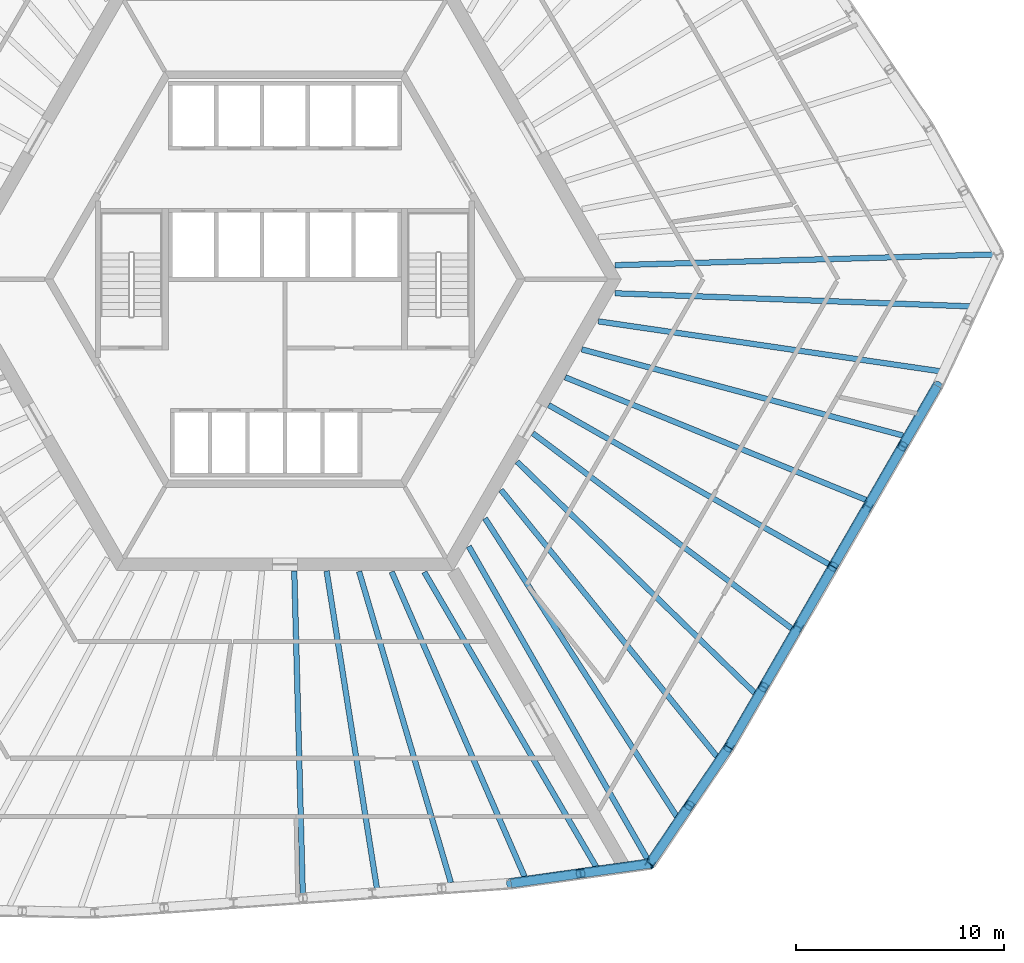
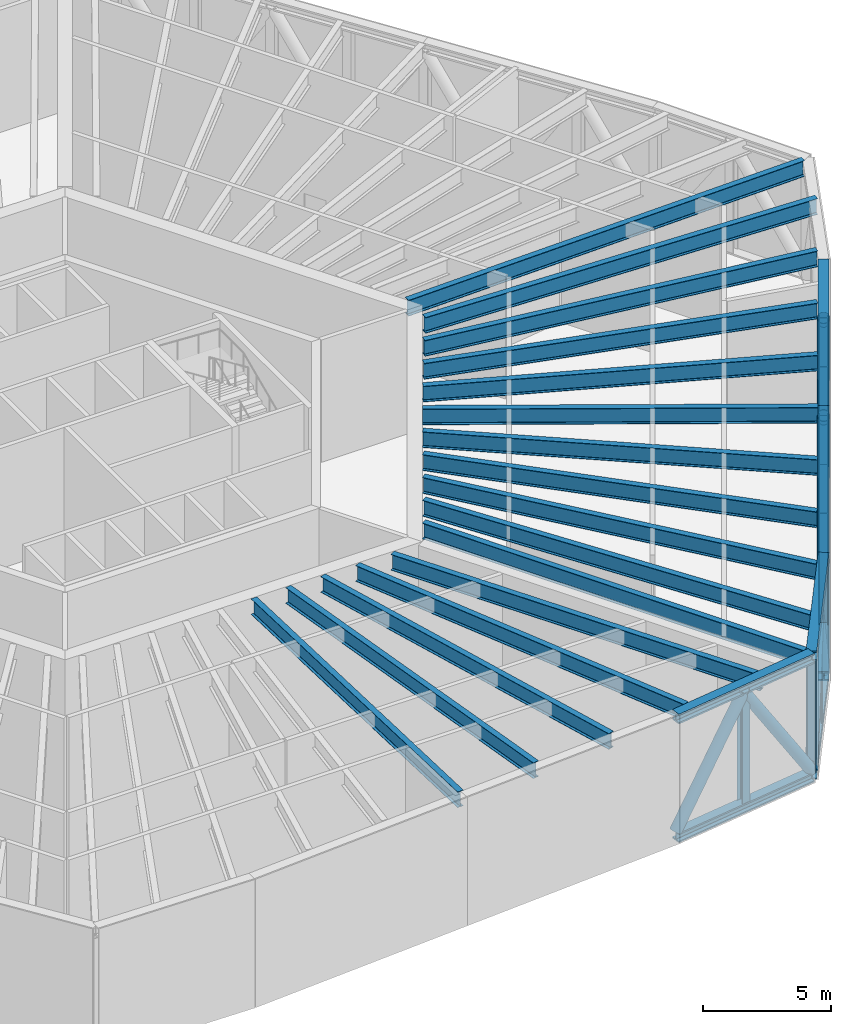
# One storey, part 2 of 11: 27 members, 16 beams.
"""IFC4 building model written with IfcOpenShell, lengths in metres."""

from ifc_helpers import new_model, si_unit, direction, frame, origin, origin_2d, place, context, subcontext, project, spatial, hollow_circle, i_section, extrude, material, material_profile, profile_set, type_object, element, save


model = new_model("IFC4")

# Units and contexts
model_context = context("Model", 3, precision=1e-05, world=origin(), true_north=direction((0.0, 1.0)))
body_context = subcontext(model_context, "Body", "Model", "MODEL_VIEW")
ifc_project = project(units=[si_unit("LENGTHUNIT", "METRE"), si_unit("AREAUNIT", "SQUARE_METRE"), si_unit("VOLUMEUNIT", "CUBIC_METRE"), si_unit("PLANEANGLEUNIT", "RADIAN"), si_unit("MASSUNIT", "GRAM", prefix="KILO")], contexts=[model_context])

# Site, building, storey
site_placement = place(None, origin())
site = spatial("IfcSite", under=ifc_project, at=site_placement, CompositionType="ELEMENT")
building_placement = place(site_placement, origin())
building = spatial("IfcBuilding", under=site, at=building_placement, Name="Tarnside Tower", CompositionType="ELEMENT")
storey_placement = place(building_placement, frame((0.0, 0.0, 31.5)))
storey = spatial("IfcBuildingStorey", under=building, at=storey_placement, Name="L05", CompositionType="ELEMENT", Elevation=31.5)

# Beams
ifc_material_1 = material(Name="Steel S355", Category="steel")
ifc_material_profile_1 = material_profile(ifc_material_1, i_section(OverallWidth=0.26513671875, OverallDepth=0.75390625, WebThickness=0.0126953125, FlangeThickness=0.017578125, FilletRadius=0.0166015625, at=origin_2d()), Name="UB 762x267x147")
ifc_profile_set_1 = profile_set([ifc_material_profile_1], Name="Steel S355")
beam_type_1 = type_object("IfcBeamType", Name="Floor beam UB 762x267x147", PredefinedType="BEAM", material=ifc_profile_set_1)
beam_1_placement = place(storey_placement, frame((0.859130859375, -29.5048828125, 5.472900390625), z_axis=(-0.026320774223, 0.999653548408, 0.0), x_axis=(-0.999653548408, -0.026320774223, 0.0)))
element("IfcBeam", 1, at=beam_1_placement, inside=storey, type_object=beam_type_1, Name="Floor beam F4.05", PredefinedType="BEAM", context=body_context, shape_type="SweptSolid", body=[
    extrude(i_section(OverallWidth=0.26513671875, OverallDepth=0.75390625, WebThickness=0.0126953125, FlangeThickness=0.017578125, FilletRadius=0.0166015625, at=origin_2d()), origin(), (0.0, 0.0, 1.0), 15.490234375),
])
beam_2_placement = place(storey_placement, frame((4.420166015625, -29.256103515625, 5.472900390625), z_axis=(-0.156520054819, 0.987674780704, 0.0), x_axis=(-0.987674780704, -0.156520054819, 0.0)))
element("IfcBeam", 2, at=beam_2_placement, inside=storey, type_object=beam_type_1, Name="Floor beam F4.06", PredefinedType="BEAM", context=body_context, shape_type="SweptSolid", body=[
    extrude(i_section(OverallWidth=0.26513671875, OverallDepth=0.75390625, WebThickness=0.0126953125, FlangeThickness=0.017578125, FilletRadius=0.0166015625, at=origin_2d()), origin(), (0.0, 0.0, 1.0), 15.426513671875),
])
beam_3_placement = place(storey_placement, frame((7.97509765625, -28.98828125, 5.472900390625), z_axis=(-0.282926054837, 0.959141724405, 0.0), x_axis=(-0.959141724405, -0.282926054837, 0.0)))
element("IfcBeam", 3, at=beam_3_placement, inside=storey, type_object=beam_type_1, Name="Floor beam F4.07", PredefinedType="BEAM", context=body_context, shape_type="SweptSolid", body=[
    extrude(i_section(OverallWidth=0.26513671875, OverallDepth=0.75390625, WebThickness=0.0126953125, FlangeThickness=0.017578125, FilletRadius=0.0166015625, at=origin_2d()), origin(), (0.0, 0.0, 1.0), 15.5869140625),
])
beam_4_placement = place(storey_placement, frame((24.361572265625, -16.790771484375, 5.472900390625), z_axis=(-0.79835463042, 0.602187582143, 0.0), x_axis=(-0.602187582143, -0.79835463042, 0.0)))
element("IfcBeam", 4, at=beam_4_placement, inside=storey, type_object=beam_type_1, Name="Floor beam F5.04", PredefinedType="BEAM", context=body_context, shape_type="SweptSolid", body=[
    extrude(i_section(OverallWidth=0.26513671875, OverallDepth=0.75390625, WebThickness=0.0126953125, FlangeThickness=0.017578125, FilletRadius=0.0166015625, at=origin_2d()), origin(), (0.0, 0.0, 1.0), 15.590576171875),
])
beam_5_placement = place(storey_placement, frame((26.163818359375, -13.708984375, 5.472900390625), z_axis=(-0.869508017285, 0.493918827215, 0.0), x_axis=(-0.493918827215, -0.869508017285, 0.0)))
element("IfcBeam", 5, at=beam_5_placement, inside=storey, type_object=beam_type_1, Name="Floor beam F5.05", PredefinedType="BEAM", context=body_context, shape_type="SweptSolid", body=[
    extrude(i_section(OverallWidth=0.26513671875, OverallDepth=0.75390625, WebThickness=0.0126953125, FlangeThickness=0.017578125, FilletRadius=0.0166015625, at=origin_2d()), origin(), (0.0, 0.0, 1.0), 15.513427734375),
])
beam_6_placement = place(storey_placement, frame((27.931396484375, -10.607666015625, 5.472900390625), z_axis=(-0.925977618693, 0.377578402031, 0.0), x_axis=(-0.377578402031, -0.925977618693, 0.0)))
element("IfcBeam", 6, at=beam_6_placement, inside=storey, type_object=beam_type_1, Name="Floor beam F5.06", PredefinedType="BEAM", context=body_context, shape_type="SweptSolid", body=[
    extrude(i_section(OverallWidth=0.26513671875, OverallDepth=0.75390625, WebThickness=0.0126953125, FlangeThickness=0.017578125, FilletRadius=0.0166015625, at=origin_2d()), origin(), (0.0, 0.0, 1.0), 15.618408203125),
])
ifc_material_profile_2 = material_profile(ifc_material_1, i_section(OverallWidth=0.2666015625, OverallDepth=0.76220703125, WebThickness=0.014404296875, FlangeThickness=0.021484375, FilletRadius=0.0166015625, at=origin_2d()), Name="UB 762x267x173")
ifc_profile_set_2 = profile_set([ifc_material_profile_2], Name="Steel S355")
beam_type_2 = type_object("IfcBeamType", Name="Floor beam UB 762x267x173", PredefinedType="BEAM", material=ifc_profile_set_2)
beam_7_placement = place(storey_placement, frame((11.525146484375, -28.722412109375, 5.468994140625), z_axis=(-0.399702782579, 0.916644797945, 0.0), x_axis=(-0.916644797945, -0.399702782579, 0.0)))
element("IfcBeam", 7, at=beam_7_placement, inside=storey, type_object=beam_type_2, Name="Floor beam F4.08", PredefinedType="BEAM", context=body_context, shape_type="SweptSolid", body=[
    extrude(i_section(OverallWidth=0.2666015625, OverallDepth=0.76220703125, WebThickness=0.014404296875, FlangeThickness=0.021484375, FilletRadius=0.0166015625, at=origin_2d()), origin(), (0.0, 0.0, 1.0), 16.001220703125),
])
beam_8_placement = place(storey_placement, frame((15.088623046875, -28.4580078125, 5.468994140625), z_axis=(-0.503762574622, 0.8638421548, 0.0), x_axis=(-0.8638421548, -0.503762574622, 0.0)))
element("IfcBeam", 8, at=beam_8_placement, inside=storey, type_object=beam_type_2, Name="Floor beam F4.09", PredefinedType="BEAM", context=body_context, shape_type="SweptSolid", body=[
    extrude(i_section(OverallWidth=0.2666015625, OverallDepth=0.76220703125, WebThickness=0.014404296875, FlangeThickness=0.021484375, FilletRadius=0.0166015625, at=origin_2d()), origin(), (0.0, 0.0, 1.0), 16.656982421875),
])
beam_9_placement = place(storey_placement, frame((17.43701171875, -27.887939453125, 5.468994140625), z_axis=(-0.496126806374, 0.868250074574, 0.0), x_axis=(-0.868250074574, -0.496126806374, 0.0)))
element("IfcBeam", 9, at=beam_9_placement, inside=storey, type_object=beam_type_2, Name="Floor beam C4", PredefinedType="BEAM", context=body_context, shape_type="SweptSolid", body=[
    extrude(i_section(OverallWidth=0.2666015625, OverallDepth=0.76220703125, WebThickness=0.014404296875, FlangeThickness=0.021484375, FilletRadius=0.0166015625, at=origin_2d()), origin(), (0.0, 0.0, 1.0), 17.33740234375),
])
beam_10_placement = place(storey_placement, frame((18.967041015625, -26.031982421875, 5.468994140625), z_axis=(-0.54087390901, 0.841103688348, 0.0), x_axis=(-0.841103688348, -0.54087390901, 0.0)))
element("IfcBeam", 10, at=beam_10_placement, inside=storey, type_object=beam_type_2, Name="Floor beam F5.01", PredefinedType="BEAM", context=body_context, shape_type="SweptSolid", body=[
    extrude(i_section(OverallWidth=0.2666015625, OverallDepth=0.76220703125, WebThickness=0.014404296875, FlangeThickness=0.021484375, FilletRadius=0.0166015625, at=origin_2d()), origin(), (0.0, 0.0, 1.0), 17.29052734375),
])
beam_11_placement = place(storey_placement, frame((20.767578125, -22.943603515625, 5.468994140625), z_axis=(-0.629388944028, 0.777090443343, 0.0), x_axis=(-0.777090443343, -0.629388944028, 0.0)))
element("IfcBeam", 11, at=beam_11_placement, inside=storey, type_object=beam_type_2, Name="Floor beam F5.02", PredefinedType="BEAM", context=body_context, shape_type="SweptSolid", body=[
    extrude(i_section(OverallWidth=0.2666015625, OverallDepth=0.76220703125, WebThickness=0.014404296875, FlangeThickness=0.021484375, FilletRadius=0.0166015625, at=origin_2d()), origin(), (0.0, 0.0, 1.0), 16.496337890625),
])
beam_12_placement = place(storey_placement, frame((22.562744140625, -19.86865234375, 5.468994140625), z_axis=(-0.716593989632, 0.697490540455, 0.0), x_axis=(-0.697490540455, -0.716593989632, 0.0)))
element("IfcBeam", 12, at=beam_12_placement, inside=storey, type_object=beam_type_2, Name="Floor beam F5.03", PredefinedType="BEAM", context=body_context, shape_type="SweptSolid", body=[
    extrude(i_section(OverallWidth=0.2666015625, OverallDepth=0.76220703125, WebThickness=0.014404296875, FlangeThickness=0.021484375, FilletRadius=0.0166015625, at=origin_2d()), origin(), (0.0, 0.0, 1.0), 15.923828125),
])
beam_13_placement = place(storey_placement, frame((29.697509765625, -7.510986328125, 5.468994140625), z_axis=(-0.965828752151, 0.259181059336, 0.0), x_axis=(-0.259181059336, -0.965828752151, 0.0)))
element("IfcBeam", 13, at=beam_13_placement, inside=storey, type_object=beam_type_2, Name="Floor beam F5.07", PredefinedType="BEAM", context=body_context, shape_type="SweptSolid", body=[
    extrude(i_section(OverallWidth=0.2666015625, OverallDepth=0.76220703125, WebThickness=0.014404296875, FlangeThickness=0.021484375, FilletRadius=0.0166015625, at=origin_2d()), origin(), (0.0, 0.0, 1.0), 15.978515625),
])
beam_14_placement = place(storey_placement, frame((31.462890625, -4.4189453125, 5.468994140625), z_axis=(-0.989507902079, 0.14447875873, 0.0), x_axis=(-0.14447875873, -0.989507902079, 0.0)))
element("IfcBeam", 14, at=beam_14_placement, inside=storey, type_object=beam_type_2, Name="Floor beam F5.08", PredefinedType="BEAM", context=body_context, shape_type="SweptSolid", body=[
    extrude(i_section(OverallWidth=0.2666015625, OverallDepth=0.76220703125, WebThickness=0.014404296875, FlangeThickness=0.021484375, FilletRadius=0.0166015625, at=origin_2d()), origin(), (0.0, 0.0, 1.0), 16.5751953125),
])
beam_15_placement = place(storey_placement, frame((33.2373046875, -1.315673828125, 5.468994140625), z_axis=(-0.999320801363, 0.03685018267, 0.0), x_axis=(-0.03685018267, -0.999320801363, 0.0)))
element("IfcBeam", 15, at=beam_15_placement, inside=storey, type_object=beam_type_2, Name="Floor beam F5.09", PredefinedType="BEAM", context=body_context, shape_type="SweptSolid", body=[
    extrude(i_section(OverallWidth=0.2666015625, OverallDepth=0.76220703125, WebThickness=0.014404296875, FlangeThickness=0.021484375, FilletRadius=0.0166015625, at=origin_2d()), origin(), (0.0, 0.0, 1.0), 17.39111328125),
])
beam_16_placement = place(storey_placement, frame((34.08642578125, 1.191650390625, 5.468994140625), z_axis=(-0.999597137617, -0.028382432387, 0.0), x_axis=(0.028382432387, -0.999597137617, 0.0)))
element("IfcBeam", 16, at=beam_16_placement, inside=storey, type_object=beam_type_2, Name="Floor beam C5", PredefinedType="BEAM", context=body_context, shape_type="SweptSolid", body=[
    extrude(i_section(OverallWidth=0.2666015625, OverallDepth=0.76220703125, WebThickness=0.014404296875, FlangeThickness=0.021484375, FilletRadius=0.0166015625, at=origin_2d()), origin(), (0.0, 0.0, 1.0), 18.23583984375),
])

# Members
ifc_material_2 = material(Name="Steel S460", Category="steel")
ifc_material_profile_3 = material_profile(ifc_material_2, i_section(OverallWidth=0.41845703125, OverallDepth=0.45556640625, WebThickness=0.0419921875, FlangeThickness=0.0673828125, FilletRadius=0.01513671875, at=origin_2d()), Name="UC 356x406x551")
ifc_profile_set_3 = profile_set([ifc_material_profile_3], Name="Steel S460")
member_type_1 = type_object("IfcMemberType", Name="Truss chord UC 356x406x551", PredefinedType="CHORD", material=ifc_profile_set_3)
for number, where, z_axis, x_axis, name in (
    (17, (10.864501953125, -29.037841796875, -0.072265625), (0.990097141245, 0.140383941029, 0.0), (-0.140383941029, 0.990097141245, 0.0), "Transfer ring truss bottom chord L05 span M15"),
    (18, (17.55224609375, -28.089599609375, -0.072265625), (0.560201423234, 0.828356424136, 0.0), (-0.828356424136, 0.560201423234, 0.0), "Transfer ring truss bottom chord L05 span M16"),
):
    element("IfcMember", number, at=place(storey_placement, frame(where, z_axis=z_axis, x_axis=x_axis)), inside=storey, type_object=member_type_1, Name=name, PredefinedType="CHORD", context=body_context, shape_type="SweptSolid", body=[
        extrude(i_section(OverallWidth=0.41845703125, OverallDepth=0.45556640625, WebThickness=0.0419921875, FlangeThickness=0.0673828125, FilletRadius=0.01513671875, at=origin_2d()), origin(), (0.0, 0.0, 1.0), 6.754638671875),
    ])
member_1_placement = place(storey_placement, frame((21.336181640625, -22.494384765625, -0.072265625), z_axis=(0.500013405032, 0.866017664247, 0.0), x_axis=(-0.866017664247, 0.500013405032, 0.0)))
element("IfcMember", 19, at=member_1_placement, inside=storey, type_object=member_type_1, Name="Transfer ring truss bottom chord L05 span M17", PredefinedType="CHORD", context=body_context, shape_type="SweptSolid", body=[
    extrude(i_section(OverallWidth=0.41845703125, OverallDepth=0.45556640625, WebThickness=0.0419921875, FlangeThickness=0.0673828125, FilletRadius=0.01513671875, at=origin_2d()), origin(), (0.0, 0.0, 1.0), 10.023681640625),
])
member_2_placement = place(storey_placement, frame((26.34814453125, -13.813720703125, -0.072265625), z_axis=(0.50000285838, 0.866023753492, 0.0), x_axis=(-0.866023753492, 0.50000285838, 0.0)))
element("IfcMember", 20, at=member_2_placement, inside=storey, type_object=member_type_1, Name="Transfer ring truss bottom chord L05 span M18", PredefinedType="CHORD", context=body_context, shape_type="SweptSolid", body=[
    extrude(i_section(OverallWidth=0.41845703125, OverallDepth=0.45556640625, WebThickness=0.0419921875, FlangeThickness=0.0673828125, FilletRadius=0.01513671875, at=origin_2d()), origin(), (0.0, 0.0, 1.0), 10.02392578125),
])
ifc_material_profile_4 = material_profile(ifc_material_2, i_section(OverallWidth=0.424072265625, OverallDepth=0.474609375, WebThickness=0.047607421875, FlangeThickness=0.076904296875, FilletRadius=0.01513671875, at=origin_2d()), Name="UC 356x406x634")
ifc_profile_set_4 = profile_set([ifc_material_profile_4], Name="Steel S460")
member_type_2 = type_object("IfcMemberType", Name="Truss chord UC 356x406x634", PredefinedType="CHORD", material=ifc_profile_set_4)
for number, where, z_axis, x_axis, name in (
    (21, (10.864501953125, -29.037841796875, 5.61279296875), (0.990097141245, 0.140383941029, 0.0), (-0.140383941029, 0.990097141245, 0.0), "Transfer ring truss top chord L05 span M15"),
    (22, (17.55224609375, -28.089599609375, 5.61279296875), (0.560201423234, 0.828356424136, 0.0), (-0.828356424136, 0.560201423234, 0.0), "Transfer ring truss top chord L05 span M16"),
):
    element("IfcMember", number, at=place(storey_placement, frame(where, z_axis=z_axis, x_axis=x_axis)), inside=storey, type_object=member_type_2, Name=name, PredefinedType="CHORD", context=body_context, shape_type="SweptSolid", body=[
        extrude(i_section(OverallWidth=0.424072265625, OverallDepth=0.474609375, WebThickness=0.047607421875, FlangeThickness=0.076904296875, FilletRadius=0.01513671875, at=origin_2d()), origin(), (0.0, 0.0, 1.0), 6.754638671875),
    ])
member_3_placement = place(storey_placement, frame((21.336181640625, -22.494384765625, 5.61279296875), z_axis=(0.500013405032, 0.866017664247, 0.0), x_axis=(-0.866017664247, 0.500013405032, 0.0)))
element("IfcMember", 23, at=member_3_placement, inside=storey, type_object=member_type_2, Name="Transfer ring truss top chord L05 span M17", PredefinedType="CHORD", context=body_context, shape_type="SweptSolid", body=[
    extrude(i_section(OverallWidth=0.424072265625, OverallDepth=0.474609375, WebThickness=0.047607421875, FlangeThickness=0.076904296875, FilletRadius=0.01513671875, at=origin_2d()), origin(), (0.0, 0.0, 1.0), 10.023681640625),
])
member_4_placement = place(storey_placement, frame((26.34814453125, -13.813720703125, 5.61279296875), z_axis=(0.50000285838, 0.866023753492, 0.0), x_axis=(-0.866023753492, 0.50000285838, 0.0)))
element("IfcMember", 24, at=member_4_placement, inside=storey, type_object=member_type_2, Name="Transfer ring truss top chord L05 span M18", PredefinedType="CHORD", context=body_context, shape_type="SweptSolid", body=[
    extrude(i_section(OverallWidth=0.424072265625, OverallDepth=0.474609375, WebThickness=0.047607421875, FlangeThickness=0.076904296875, FilletRadius=0.01513671875, at=origin_2d()), origin(), (0.0, 0.0, 1.0), 10.02392578125),
])
ifc_material_profile_5 = material_profile(ifc_material_1, hollow_circle(Radius=0.25390625, WallThickness=0.01611328125, at=origin_2d()), Name="CHS 508x16")
ifc_profile_set_5 = profile_set([ifc_material_profile_5], Name="Steel S355")
member_type_3 = type_object("IfcMemberType", Name="Truss diagonal CHS 508x16", PredefinedType="BRACE", material=ifc_profile_set_5)
for number, where, z_axis, x_axis, name in (
    (25, (10.864501953125, -29.037841796875, 0.155517578125), (0.5378505882, 0.076258001189, 0.839584100628), (-0.140378917394, 0.990097853523, 0.0), "Transfer ring truss diagonal L05 37"),
    (26, (14.20849609375, -28.563720703125, 5.37548828125), (0.537822679057, 0.076259611765, -0.839601832719), (-0.140388965019, 0.99009642889, 0.0), "Transfer ring truss diagonal L05 38"),
    (27, (17.55224609375, -28.089599609375, 0.155517578125), (0.304327060137, 0.449972100918, 0.839589273909), (-0.828339651442, 0.560226223813, 0.0), "Transfer ring truss diagonal L05 39"),
    (28, (19.4443359375, -25.2919921875, 5.37548828125), (0.304291428296, 0.449977477977, -0.8395993068), (-0.828373196765, 0.560176621148, 0.0), "Transfer ring truss diagonal L05 40"),
):
    element("IfcMember", number, at=place(storey_placement, frame(where, z_axis=z_axis, x_axis=x_axis)), inside=storey, type_object=member_type_3, Name=name, PredefinedType="BRACE", context=body_context, shape_type="SweptSolid", body=[
        extrude(hollow_circle(Radius=0.25390625, WallThickness=0.01611328125, at=origin_2d()), origin(), (0.0, 0.0, 1.0), 6.21728515625),
    ])
for number, where, z_axis, x_axis, name in (
    (29, (21.336181640625, -22.494384765625, 0.155517578125), (0.269559128783, 0.466873417265, 0.84223932961), (-0.866017664247, 0.500013405032, 0.0), "Transfer ring truss diagonal L05 41"),
    (30, (23.0068359375, -19.600830078125, 5.37548828125), (0.269559128783, 0.466873417265, -0.84223932961), (-0.866017664247, 0.500013405032, 0.0), "Transfer ring truss diagonal L05 42"),
    (31, (24.677490234375, -16.707275390625, 0.155517578125), (0.269559128783, 0.466873417265, 0.84223932961), (-0.866017664247, 0.500013405032, 0.0), "Transfer ring truss diagonal L05 43"),
    (32, (26.34814453125, -13.813720703125, 5.37548828125), (0.269559128783, 0.466873417265, -0.84223932961), (-0.866017664247, 0.500013405032, 0.0), "Transfer ring truss diagonal L05 44"),
    (33, (28.018798828125, -10.920166015625, 0.155517578125), (0.269559128783, 0.466873417265, 0.84223932961), (-0.866017664247, 0.500013405032, 0.0), "Transfer ring truss diagonal L05 45"),
    (34, (29.689453125, -8.026611328125, 5.37548828125), (0.269554171234, 0.466904222072, -0.842223839713), (-0.866035930824, 0.499981766188, 0.0), "Transfer ring truss diagonal L05 46"),
):
    element("IfcMember", number, at=place(storey_placement, frame(where, z_axis=z_axis, x_axis=x_axis)), inside=storey, type_object=member_type_3, Name=name, PredefinedType="BRACE", context=body_context, shape_type="SweptSolid", body=[
        extrude(hollow_circle(Radius=0.25390625, WallThickness=0.01611328125, at=origin_2d()), origin(), (0.0, 0.0, 1.0), 6.19775390625),
    ])
ifc_material_profile_6 = material_profile(ifc_material_1, i_section(OverallWidth=0.374755859375, OverallDepth=0.37451171875, WebThickness=0.0166015625, FlangeThickness=0.027099609375, FilletRadius=0.01513671875, at=origin_2d()), Name="UC 356x368x202")
ifc_profile_set_6 = profile_set([ifc_material_profile_6], Name="Steel S355")
member_type_4 = type_object("IfcMemberType", Name="Truss post UC 356x368x202", PredefinedType="POST", material=ifc_profile_set_6)
for number, where, z_axis, x_axis, name in (
    (35, (14.20849609375, -28.563720703125, 0.155517578125), (0.0, 0.0, 1.0), (0.990094000922, 0.140406087252, 0.0), "Transfer ring truss post L05 38"),
    (36, (17.55224609375, -28.089599609375, 0.155517578125), (0.0, 0.0, 1.0), (0.5602247979, 0.828340615821, 0.0), "Transfer ring truss post L05 39"),
    (37, (19.4443359375, -25.2919921875, 0.155517578125), (0.0, 0.0, 1.0), (0.5602247979, 0.828340615821, 0.0), "Transfer ring truss post L05 40"),
    (38, (21.336181640625, -22.494384765625, 0.155517578125), (0.0, 0.0, 1.0), (0.5, 0.866025403784, 0.0), "Transfer ring truss post L05 41"),
    (39, (23.0068359375, -19.600830078125, 0.155517578125), (0.0, 0.0, 1.0), (0.5, 0.866025403784, 0.0), "Transfer ring truss post L05 42"),
    (40, (24.677490234375, -16.707275390625, 0.155517578125), (0.0, 0.0, 1.0), (0.5, 0.866025403784, 0.0), "Transfer ring truss post L05 43"),
    (41, (26.34814453125, -13.813720703125, 0.155517578125), (0.0, 0.0, 1.0), (0.5, 0.866025403784, 0.0), "Transfer ring truss post L05 44"),
    (42, (28.018798828125, -10.920166015625, 0.155517578125), (0.0, 0.0, 1.0), (0.5, 0.866025403784, 0.0), "Transfer ring truss post L05 45"),
    (43, (29.689453125, -8.026611328125, 0.155517578125), (0.0, 0.0, 1.0), (0.5, 0.866025403784, 0.0), "Transfer ring truss post L05 46"),
):
    element("IfcMember", number, at=place(storey_placement, frame(where, z_axis=z_axis, x_axis=x_axis)), inside=storey, type_object=member_type_4, Name=name, PredefinedType="POST", context=body_context, shape_type="SweptSolid", body=[
        extrude(i_section(OverallWidth=0.374755859375, OverallDepth=0.37451171875, WebThickness=0.0166015625, FlangeThickness=0.027099609375, FilletRadius=0.01513671875, at=origin_2d()), origin(), (0.0, 0.0, 1.0), 5.219970703125),
    ])

save(model, "model.ifc")
